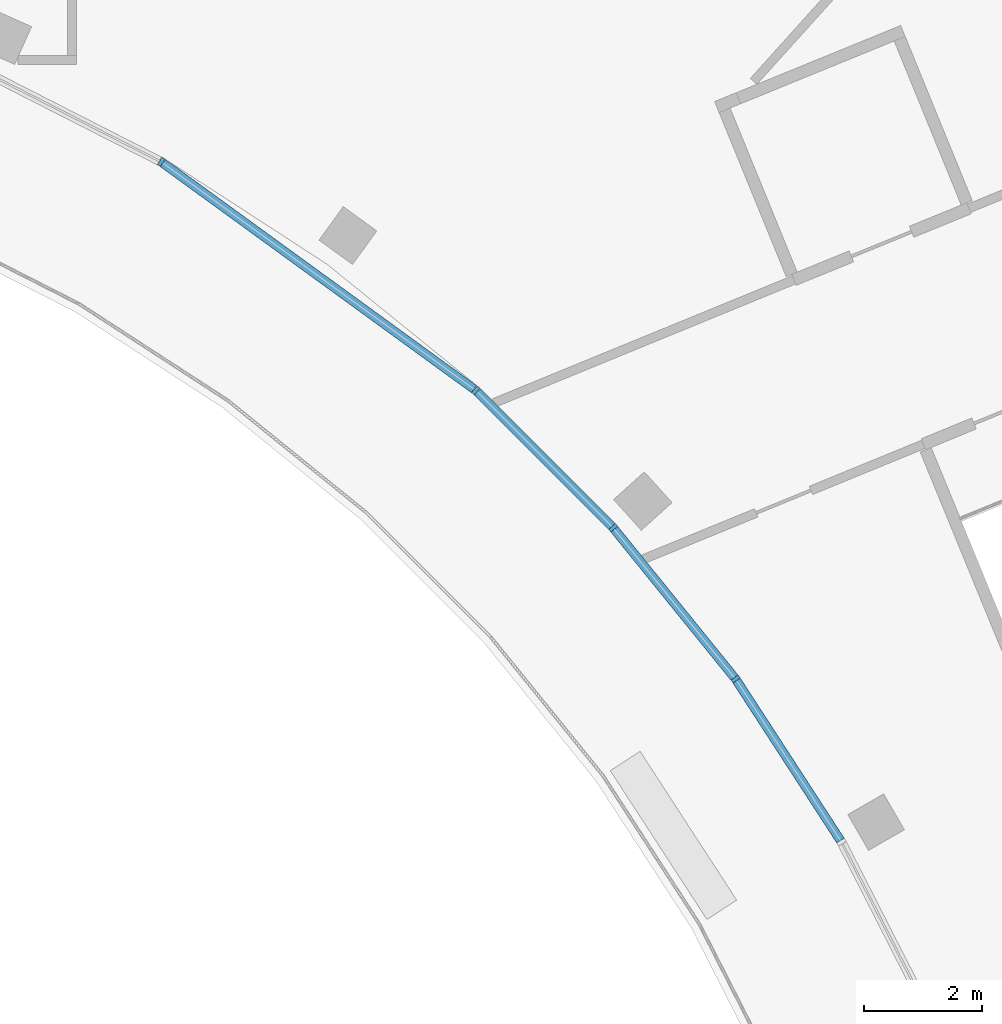
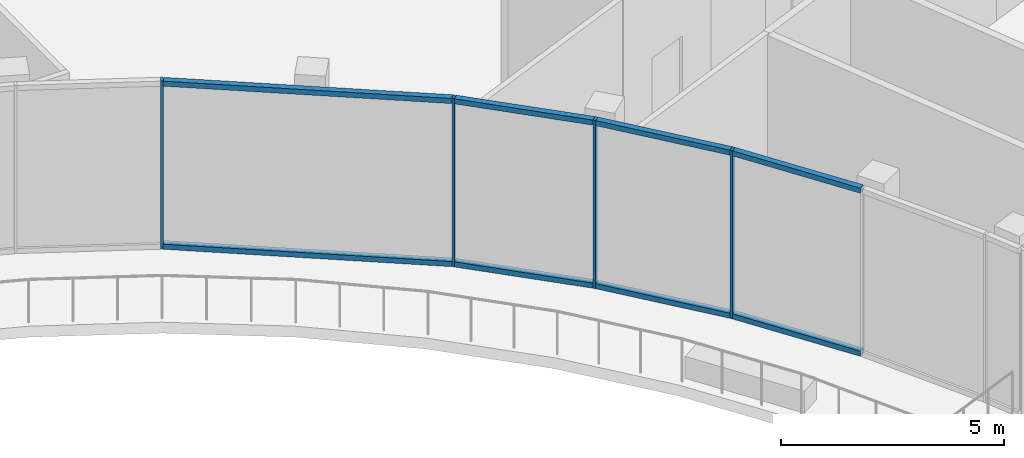
# One storey, part 9 of 33: 12 members, 1 element without a shape of its own.
"""IFC4 building model written with IfcOpenShell, lengths in metres."""

from ifc_helpers import new_model, si_unit, direction, frame, origin, origin_2d, place, context, subcontext, project, spatial, rectangle, extrude, material, layer, layer_set, material_profile, profile_set, type_object, element, aggregate, save


model = new_model("IFC4")

# Units and contexts
model_context = context("Model", 3, precision=1e-05, world=origin(), true_north=direction((0.0, 1.0)))
body_context = subcontext(model_context, "Body", "Model", "MODEL_VIEW")
ifc_project = project(units=[si_unit("LENGTHUNIT", "METRE"), si_unit("AREAUNIT", "SQUARE_METRE"), si_unit("VOLUMEUNIT", "CUBIC_METRE"), si_unit("PLANEANGLEUNIT", "RADIAN"), si_unit("MASSUNIT", "GRAM", prefix="KILO")], contexts=[model_context])

# Site, building, storey
site_placement = place(None, origin())
site = spatial("IfcSite", under=ifc_project, at=site_placement, CompositionType="ELEMENT")
building_placement = place(site_placement, origin())
building = spatial("IfcBuilding", under=site, at=building_placement, Name="Stone Belt Terrace Tower", CompositionType="ELEMENT")
storey_placement = place(building_placement, frame((0.0, 0.0, 25.39990234375)))
storey = spatial("IfcBuildingStorey", under=building, at=storey_placement, Name="L05", CompositionType="ELEMENT", Elevation=25.39990234375)

# Curtain wall, members
ifc_material = material(Name="Aluminium 6063-T6 anodised frame", Category="aluminium")
ifc_layer = layer(ifc_material, 0.14990234375)
ifc_layer_set = layer_set([ifc_layer], Name="CW-D podium shopfront")
curtain_wall_type = type_object("IfcCurtainWallType", Name="CW-D podium shopfront", PredefinedType="NOTDEFINED", material=ifc_layer_set)
curtain_wall_placement = place(storey_placement, origin())
curtain_wall = element("IfcCurtainWall", 1, at=curtain_wall_placement, inside=storey, type_object=curtain_wall_type, Name="CW-D concave face L05", PredefinedType="NOTDEFINED")
ifc_material_profile_1 = material_profile(ifc_material, rectangle(XDim=0.14990234375, YDim=0.06005859375, at=origin_2d()), Name="Aluminium 6063-T6 60x150")
ifc_profile_set_1 = profile_set([ifc_material_profile_1], Name="Aluminium 6063-T6 anodised frame")
member_type_1 = type_object("IfcMemberType", Name="CW-D mullion 60 x 150", PredefinedType="MULLION", material=ifc_profile_set_1)
member_1_placement = place(storey_placement, frame((15.710693359375, 27.215576171875, 0.0), z_axis=(0.0, 0.0, 1.0), x_axis=(0.522498564716, 0.852640164354, 0.0)))
member_1 = element("IfcMember", 2, at=member_1_placement, type_object=member_type_1, Name="CW-D mullion 16", PredefinedType="MULLION", context=body_context, shape_type="SweptSolid", body=[
    extrude(rectangle(XDim=0.14990234375, YDim=0.06005859375, at=origin_2d()), origin(), (0.0, 0.0, 1.0), 4.60009765625),
])
member_2_placement = place(storey_placement, frame((21.02880859375, 23.351806640625, 0.0), z_axis=(0.0, 0.0, 1.0), x_axis=(0.64944804833, 0.7604059656, 0.0)))
member_2 = element("IfcMember", 3, at=member_2_placement, type_object=member_type_1, Name="CW-D mullion 17", PredefinedType="MULLION", context=body_context, shape_type="SweptSolid", body=[
    extrude(rectangle(XDim=0.14990234375, YDim=0.06005859375, at=origin_2d()), origin(), (0.0, 0.0, 1.0), 4.60009765625),
])
member_3_placement = place(storey_placement, frame((23.353271484375, 21.02734375, 0.0), z_axis=(0.0, 0.0, 1.0), x_axis=(0.743144825477, 0.669130606359, 0.0)))
member_3 = element("IfcMember", 4, at=member_3_placement, type_object=member_type_1, Name="CW-D mullion 18", PredefinedType="MULLION", context=body_context, shape_type="SweptSolid", body=[
    extrude(rectangle(XDim=0.14990234375, YDim=0.06005859375, at=origin_2d()), origin(), (0.0, 0.0, 1.0), 4.60009765625),
])
member_4_placement = place(storey_placement, frame((25.42333984375, 18.47119140625, 0.0), z_axis=(0.0, 0.0, 1.0), x_axis=(0.809016994375, 0.587785252292, 0.0)))
member_4 = element("IfcMember", 5, at=member_4_placement, type_object=member_type_1, Name="CW-D mullion 19", PredefinedType="MULLION", context=body_context, shape_type="SweptSolid", body=[
    extrude(rectangle(XDim=0.14990234375, YDim=0.06005859375, at=origin_2d()), origin(), (0.0, 0.0, 1.0), 4.60009765625),
])
ifc_material_profile_2 = material_profile(ifc_material, rectangle(XDim=0.14990234375, YDim=0.139892578125, at=origin_2d()), Name="Aluminium 6063-T6 150x140")
ifc_profile_set_2 = profile_set([ifc_material_profile_2], Name="Aluminium 6063-T6 anodised frame")
member_type_2 = type_object("IfcMemberType", Name="CW-D transom 140 x 150", PredefinedType="USERDEFINED", material=ifc_profile_set_2)
member_5_placement = place(storey_placement, frame((15.73974609375, 27.194580078125, 0.070068359375), z_axis=(0.80900554442, -0.587801011481, 0.0), x_axis=(0.587801011481, 0.80900554442, 0.0)))
member_5 = element("IfcMember", 6, at=member_5_placement, type_object=member_type_2, Name="CW-D transom 16.1", ObjectType="TRANSOM", PredefinedType="USERDEFINED", context=body_context, shape_type="SweptSolid", body=[
    extrude(rectangle(XDim=0.14990234375, YDim=0.139892578125, at=origin_2d()), origin(), (0.0, 0.0, 1.0), 6.501708984375),
])
member_6_placement = place(storey_placement, frame((15.73974609375, 27.194580078125, 4.530029296875), z_axis=(0.80900554442, -0.587801011481, 0.0), x_axis=(0.587801011481, 0.80900554442, 0.0)))
member_6 = element("IfcMember", 7, at=member_6_placement, type_object=member_type_2, Name="CW-D transom 16.2", ObjectType="TRANSOM", PredefinedType="USERDEFINED", context=body_context, shape_type="SweptSolid", body=[
    extrude(rectangle(XDim=0.14990234375, YDim=0.139892578125, at=origin_2d()), origin(), (0.0, 0.0, 1.0), 6.501708984375),
])
member_7_placement = place(storey_placement, frame((21.053955078125, 23.32666015625, 0.070068359375), z_axis=(0.707106781187, -0.707106781187, 0.0), x_axis=(0.707106781187, 0.707106781187, 0.0)))
member_7 = element("IfcMember", 8, at=member_7_placement, type_object=member_type_2, Name="CW-D transom 17.1", ObjectType="TRANSOM", PredefinedType="USERDEFINED", context=body_context, shape_type="SweptSolid", body=[
    extrude(rectangle(XDim=0.14990234375, YDim=0.139892578125, at=origin_2d()), origin(), (0.0, 0.0, 1.0), 3.2177734375),
])
member_8_placement = place(storey_placement, frame((21.053955078125, 23.32666015625, 4.530029296875), z_axis=(0.707106781187, -0.707106781187, 0.0), x_axis=(0.707106781187, 0.707106781187, 0.0)))
member_8 = element("IfcMember", 9, at=member_8_placement, type_object=member_type_2, Name="CW-D transom 17.2", ObjectType="TRANSOM", PredefinedType="USERDEFINED", context=body_context, shape_type="SweptSolid", body=[
    extrude(rectangle(XDim=0.14990234375, YDim=0.139892578125, at=origin_2d()), origin(), (0.0, 0.0, 1.0), 3.2177734375),
])
member_9_placement = place(storey_placement, frame((23.37451171875, 21.0009765625, 0.070068359375), z_axis=(0.629305046123, -0.777158387283, 0.0), x_axis=(0.777158387283, 0.629305046123, 0.0)))
member_9 = element("IfcMember", 10, at=member_9_placement, type_object=member_type_2, Name="CW-D transom 18.1", ObjectType="TRANSOM", PredefinedType="USERDEFINED", context=body_context, shape_type="SweptSolid", body=[
    extrude(rectangle(XDim=0.14990234375, YDim=0.139892578125, at=origin_2d()), origin(), (0.0, 0.0, 1.0), 3.2216796875),
])
member_10_placement = place(storey_placement, frame((23.37451171875, 21.0009765625, 4.530029296875), z_axis=(0.629305046123, -0.777158387283, 0.0), x_axis=(0.777158387283, 0.629305046123, 0.0)))
member_10 = element("IfcMember", 11, at=member_10_placement, type_object=member_type_2, Name="CW-D transom 18.2", ObjectType="TRANSOM", PredefinedType="USERDEFINED", context=body_context, shape_type="SweptSolid", body=[
    extrude(rectangle(XDim=0.14990234375, YDim=0.139892578125, at=origin_2d()), origin(), (0.0, 0.0, 1.0), 3.2216796875),
])
member_11_placement = place(storey_placement, frame((25.441650390625, 18.442626953125, 0.070068359375), z_axis=(0.544673980206, -0.838647873238, 0.0), x_axis=(0.838647873238, 0.544673980206, 0.0)))
member_11 = element("IfcMember", 12, at=member_11_placement, type_object=member_type_2, Name="CW-D transom 19.1", ObjectType="TRANSOM", PredefinedType="USERDEFINED", context=body_context, shape_type="SweptSolid", body=[
    extrude(rectangle(XDim=0.14990234375, YDim=0.139892578125, at=origin_2d()), origin(), (0.0, 0.0, 1.0), 3.221435546875),
])
member_12_placement = place(storey_placement, frame((25.441650390625, 18.442626953125, 4.530029296875), z_axis=(0.544673980206, -0.838647873238, 0.0), x_axis=(0.838647873238, 0.544673980206, 0.0)))
member_12 = element("IfcMember", 13, at=member_12_placement, type_object=member_type_2, Name="CW-D transom 19.2", ObjectType="TRANSOM", PredefinedType="USERDEFINED", context=body_context, shape_type="SweptSolid", body=[
    extrude(rectangle(XDim=0.14990234375, YDim=0.139892578125, at=origin_2d()), origin(), (0.0, 0.0, 1.0), 3.221435546875),
])
aggregate(curtain_wall, [member_1, member_2, member_3, member_4, member_5, member_6, member_7, member_8, member_9, member_10, member_11, member_12])

save(model, "model.ifc")
